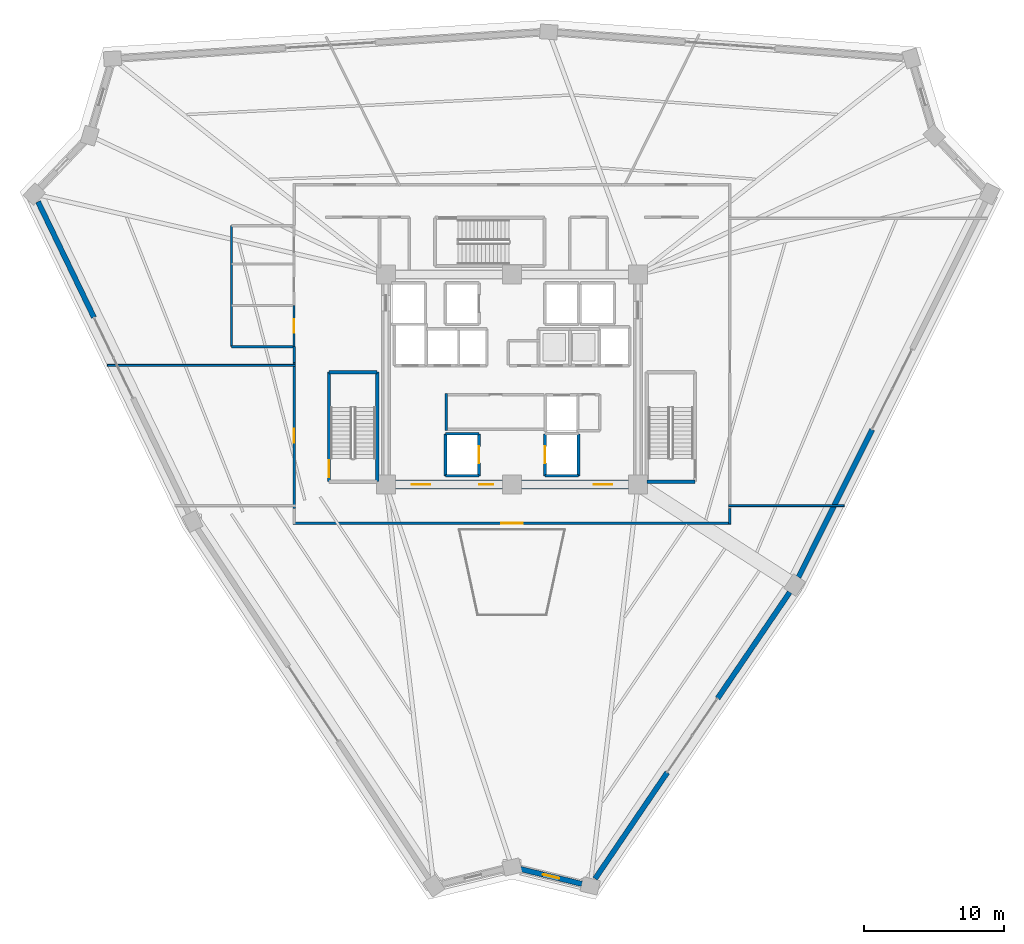
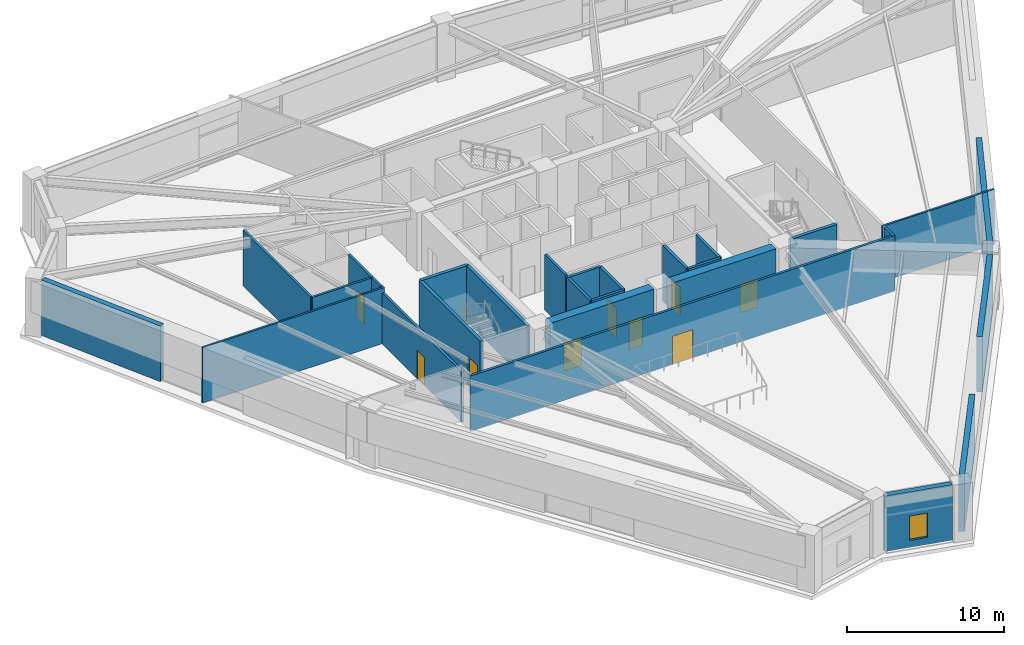
# One storey, part 32 of 39: 28 walls, 9 doors, 1 window, 10 openings.
"""IFC4 building model written with IfcOpenShell, lengths in metres."""

from ifc_helpers import new_model, si_unit, direction, frame, frame_2d, origin, place, context, subcontext, project, spatial, rectangle, extrude, source, transform, mapped, material, layer, layer_set, type_object, element, fill, save


model = new_model("IFC4")

# Units and contexts
model_context = context("Model", 3, precision=1e-05, world=origin(), true_north=direction((0.0, 1.0)))
body_context = subcontext(model_context, "Body", "Model", "MODEL_VIEW")
ifc_project = project(units=[si_unit("LENGTHUNIT", "METRE"), si_unit("AREAUNIT", "SQUARE_METRE"), si_unit("VOLUMEUNIT", "CUBIC_METRE"), si_unit("PLANEANGLEUNIT", "RADIAN"), si_unit("MASSUNIT", "GRAM", prefix="KILO")], contexts=[model_context])

# Site, building, storey
site_placement = place(None, origin())
site = spatial("IfcSite", under=ifc_project, at=site_placement, CompositionType="ELEMENT")
building_placement = place(site_placement, origin())
building = spatial("IfcBuilding", under=site, at=building_placement, Name="Liaohun Quay Tower", CompositionType="ELEMENT")
storey_placement = place(building_placement, frame((0.0, 0.0, 189.75)))
storey = spatial("IfcBuildingStorey", under=building, at=storey_placement, Name="L49", CompositionType="ELEMENT", Elevation=189.75)

# Wall, opening, door
ifc_material_1 = material(Name="Concrete C55", Category="concrete")
ifc_layer_1 = layer(ifc_material_1, 0.64990234375, Name="Concrete C55", Category="concrete")
ifc_layer_set_1 = layer_set([ifc_layer_1], Name="Concrete C55")
wall_type_1 = type_object("IfcWallType", Name="WAL-COR-Z3", PredefinedType="SHEAR", material=ifc_layer_set_1)
wall_1_placement = place(storey_placement, frame((68.324951171875, 46.5, 0.0), z_axis=(0.0, 0.0, 1.0), x_axis=(-1.0, 0.0, 0.0)))
wall_1 = element("IfcWall", 1, at=wall_1_placement, inside=storey, type_object=wall_type_1, Name="L49 Central Core Shear Wall S-E", PredefinedType="SHEAR", context=body_context, shape_type="SweptSolid", body=[
    extrude(rectangle(XDim=7.64990234375, YDim=0.64990234375, at=frame_2d((3.824951171875, 0.0))), origin(), (0.0, 0.0, 1.0), 4.320068359375),
])
shared_shape_1 = source(origin(), body_context, "Body", "SweptSolid", [
    extrude(rectangle(XDim=1.300048828125, YDim=2.199951171875, at=frame_2d((0.64990234375, 1.10009765625))), frame((0.0, 0.3349609375, 0.0), z_axis=(0.0, -1.0, 0.0), x_axis=(1.0, 0.0, 0.0)), (0.0, 0.0, 1.0), 0.669921875),
])
opening_1_placement = place(wall_1_placement, frame((1.175048828125, 0.0, 0.0)))
opening_1 = element("IfcOpeningElement", 2, at=opening_1_placement, cuts=wall_1, Name="Opening FD1", PredefinedType="OPENING", context=body_context, shape_type="MappedRepresentation", body=[
    mapped(shared_shape_1, transform((0.0, 0.0, 0.0), x_axis=(1.0, 0.0, 0.0), y_axis=(0.0, 1.0, 0.0), z_axis=(0.0, 0.0, 1.0), scale=1.0)),
])
ifc_material_2 = material(Name="Galvanised steel smokeproof fire door", Category="steel")
door_type_1 = type_object("IfcDoorType", Name="DOR-FFL-1300", OperationType="NOTDEFINED", PredefinedType="DOOR", material=ifc_material_2)
shared_shape_2 = source(origin(), body_context, "Body", "SweptSolid", [
    extrude(rectangle(XDim=1.300048828125, YDim=2.199951171875, at=frame_2d((0.64990234375, 1.10009765625))), frame((0.0, 0.02490234375, 0.0), z_axis=(0.0, -1.0, 0.0), x_axis=(1.0, 0.0, 0.0)), (0.0, 0.0, 1.0), 0.050048828125),
])
door_1_placement = place(opening_1_placement, origin())
door_1 = element("IfcDoor", 3, at=door_1_placement, inside=storey, type_object=door_type_1, Name="L49 East Core Lift Lobby Smokeproof Door", OperationType="SINGLE_SWING_LEFT", OverallHeight=2.199951171875, OverallWidth=1.300048828125, PredefinedType="DOOR", context=body_context, shape_type="MappedRepresentation", body=[
    mapped(shared_shape_2, transform((0.0, 0.0, 0.0), x_axis=(1.0, 0.0, 0.0), y_axis=(0.0, 1.0, 0.0), z_axis=(0.0, 0.0, 1.0), scale=1.0)),
])
fill(opening_1, door_1)

# Wall, openings, doors
wall_2_placement = place(storey_placement, frame((59.324951171875, 46.5, 0.0), z_axis=(0.0, 0.0, 1.0), x_axis=(-1.0, 0.0, 0.0)))
wall_2 = element("IfcWall", 4, at=wall_2_placement, inside=storey, type_object=wall_type_1, Name="L49 Central Core Shear Wall S-W", PredefinedType="SHEAR", context=body_context, shape_type="SweptSolid", body=[
    extrude(rectangle(XDim=7.64990234375, YDim=0.64990234375, at=frame_2d((3.824951171875, 0.0))), origin(), (0.0, 0.0, 1.0), 4.320068359375),
])
opening_2_placement = place(wall_2_placement, frame((5.175048828125, 0.0, 0.0)))
opening_2 = element("IfcOpeningElement", 5, at=opening_2_placement, cuts=wall_2, Name="Opening FD1", PredefinedType="OPENING", context=body_context, shape_type="MappedRepresentation", body=[
    mapped(shared_shape_1, transform((0.0, 0.0, 0.0), x_axis=(1.0, 0.0, 0.0), y_axis=(0.0, 1.0, 0.0), z_axis=(0.0, 0.0, 1.0), scale=1.0)),
])
shared_shape_3 = source(origin(), body_context, "Body", "SweptSolid", [
    extrude(rectangle(XDim=1.0, YDim=2.199951171875, at=frame_2d((0.5, 1.10009765625))), frame((0.0, 0.3349609375, 0.0), z_axis=(0.0, -1.0, 0.0), x_axis=(1.0, 0.0, 0.0)), (0.0, 0.0, 1.0), 0.669921875),
])
opening_3_placement = place(wall_2_placement, frame((0.675048828125, 0.0, 0.0)))
opening_3 = element("IfcOpeningElement", 6, at=opening_3_placement, cuts=wall_2, Name="Opening FD2", PredefinedType="OPENING", context=body_context, shape_type="MappedRepresentation", body=[
    mapped(shared_shape_3, transform((0.0, 0.0, 0.0), x_axis=(1.0, 0.0, 0.0), y_axis=(0.0, 1.0, 0.0), z_axis=(0.0, 0.0, 1.0), scale=1.0)),
])
door_2_placement = place(opening_2_placement, origin())
door_2 = element("IfcDoor", 7, at=door_2_placement, inside=storey, type_object=door_type_1, Name="L49 West Core Lift Lobby Smokeproof Door", OperationType="SINGLE_SWING_RIGHT", OverallHeight=2.199951171875, OverallWidth=1.300048828125, PredefinedType="DOOR", context=body_context, shape_type="MappedRepresentation", body=[
    mapped(shared_shape_2, transform((0.0, 0.0, 0.0), x_axis=(1.0, 0.0, 0.0), y_axis=(0.0, 1.0, 0.0), z_axis=(0.0, 0.0, 1.0), scale=1.0)),
])
fill(opening_2, door_2)
ifc_material_3 = material(Name="Galvanised steel smokeproof lobby fire door", Category="steel")
door_type_2 = type_object("IfcDoorType", Name="DOR-FFL-1000", OperationType="NOTDEFINED", PredefinedType="DOOR", material=ifc_material_3)
shared_shape_4 = source(origin(), body_context, "Body", "SweptSolid", [
    extrude(rectangle(XDim=1.0, YDim=2.199951171875, at=frame_2d((0.5, 1.10009765625))), frame((0.0, 0.02490234375, 0.0), z_axis=(0.0, -1.0, 0.0), x_axis=(1.0, 0.0, 0.0)), (0.0, 0.0, 1.0), 0.050048828125),
])
door_3_placement = place(opening_3_placement, origin())
door_3 = element("IfcDoor", 8, at=door_3_placement, inside=storey, type_object=door_type_2, Name="L49 South Firefighting Lobby Smokeproof Door", OperationType="SINGLE_SWING_LEFT", OverallHeight=2.199951171875, OverallWidth=1.0, PredefinedType="DOOR", context=body_context, shape_type="MappedRepresentation", body=[
    mapped(shared_shape_4, transform((0.0, 0.0, 0.0), x_axis=(1.0, 0.0, 0.0), y_axis=(0.0, 1.0, 0.0), z_axis=(0.0, 0.0, 1.0), scale=1.0)),
])
fill(opening_3, door_3)

# Wall, opening, window
ifc_material_4 = material(Name="Precast concrete C50 insulated sandwich", Category="concrete")
ifc_layer_2 = layer(ifc_material_4, 0.3798828125, Name="Precast concrete C50 insulated sandwich", Category="concrete")
ifc_layer_set_2 = layer_set([ifc_layer_2], Name="Precast concrete C50 insulated sandwich")
wall_type_2 = type_object("IfcWallType", Name="WAL-EXT-Z34", PredefinedType="SOLIDWALL", material=ifc_layer_set_2)
wall_3_placement = place(storey_placement, frame((60.597900390625, 19.050048828125, 0.0), z_axis=(0.0, 0.0, 1.0), x_axis=(0.972002207068, -0.234971720543, 0.0)))
wall_3 = element("IfcWall", 9, at=wall_3_placement, inside=storey, type_object=wall_type_2, Name="L49 Corner Notch Precast Pier Wall 01", PredefinedType="SOLIDWALL", context=body_context, shape_type="SweptSolid", body=[
    extrude(rectangle(XDim=4.515625, YDim=0.3798828125, at=frame_2d((2.2578125, 0.0))), origin(), (0.0, 0.0, 1.0), 4.320068359375),
])
shared_shape_5 = source(origin(), body_context, "Body", "SweptSolid", [
    extrude(rectangle(XDim=1.199951171875, YDim=1.89990234375, at=frame_2d((0.60009765625, 0.949951171875))), frame((0.0, 0.199951171875, 0.0), z_axis=(0.0, -1.0, 0.0), x_axis=(1.0, 0.0, 0.0)), (0.0, 0.0, 1.0), 0.39990234375),
])
opening_4_placement = place(wall_3_placement, frame((1.657958984375, 0.0, 0.550048828125)))
opening_4 = element("IfcOpeningElement", 10, at=opening_4_placement, cuts=wall_3, Name="Opening W05", PredefinedType="OPENING", context=body_context, shape_type="MappedRepresentation", body=[
    mapped(shared_shape_5, transform((0.0, 0.0, 0.0), x_axis=(1.0, 0.0, 0.0), y_axis=(0.0, 1.0, 0.0), z_axis=(0.0, 0.0, 1.0), scale=1.0)),
])
ifc_material_5 = material(Name="Triple Low-E corner notch glazing", Category="glass")
window_type = type_object("IfcWindowType", Name="WIN-NOTCH", PartitioningType="SINGLE_PANEL", PredefinedType="WINDOW", material=ifc_material_5)
shared_shape_6 = source(origin(), body_context, "Body", "SweptSolid", [
    extrude(rectangle(XDim=1.199951171875, YDim=1.89990234375, at=frame_2d((0.60009765625, 0.949951171875))), frame((0.0, 0.030029296875, 0.0), z_axis=(0.0, -1.0, 0.0), x_axis=(1.0, 0.0, 0.0)), (0.0, 0.0, 1.0), 0.06005859375),
])
window_placement = place(opening_4_placement, origin())
window = element("IfcWindow", 11, at=window_placement, inside=storey, type_object=window_type, Name="L49 Corner Notch Window W05-01", OverallHeight=1.89990234375, OverallWidth=1.199951171875, PartitioningType="SINGLE_PANEL", PredefinedType="WINDOW", context=body_context, shape_type="MappedRepresentation", body=[
    mapped(shared_shape_6, transform((0.0, 0.0, 0.0), x_axis=(1.0, 0.0, 0.0), y_axis=(0.0, 1.0, 0.0), z_axis=(0.0, 0.0, 1.0), scale=1.0)),
])
fill(opening_4, window)

# Walls
for number, where, z_axis, x_axis, name in (
    (12, (65.930908203125, 18.35400390625, 0.0), (0.0, 0.0, 1.0), (0.561936323386, 0.827180493278, 0.0), "L49 Belvedere Flank Pier Wall 02L"),
    (13, (74.679931640625, 31.23193359375, 0.0), (0.0, 0.0, 1.0), (0.561936323386, 0.827180493278, 0.0), "L49 Belvedere Flank Pier Wall 02R"),
):
    element("IfcWall", number, at=place(storey_placement, frame(where, z_axis=z_axis, x_axis=x_axis)), inside=storey, type_object=wall_type_2, Name=name, PredefinedType="SOLIDWALL", context=body_context, shape_type="SweptSolid", body=[
        extrude(rectangle(XDim=9.16845703125, YDim=0.3798828125, at=frame_2d((4.584228515625, 0.0))), origin(), (0.0, 0.0, 1.0), 4.320068359375),
    ])
wall_4_placement = place(storey_placement, frame((80.451904296875, 39.875, 0.0), z_axis=(0.0, 0.0, 1.0), x_axis=(0.446160912156, 0.894952758789, 0.0)))
element("IfcWall", 14, at=wall_4_placement, inside=storey, type_object=wall_type_2, Name="L49 Belvedere Flank Pier Wall 03L", PredefinedType="SOLIDWALL", context=body_context, shape_type="SweptSolid", body=[
    extrude(rectangle(XDim=11.78515625, YDim=0.3798828125, at=frame_2d((5.892578125, 0.0))), origin(), (0.0, 0.0, 1.0), 4.320068359375),
])
wall_5_placement = place(storey_placement, frame((26.1640625, 66.68701171875, 0.0), z_axis=(0.0, 0.0, 1.0), x_axis=(0.435394574193, -0.900239726275, 0.0)))
element("IfcWall", 15, at=wall_5_placement, inside=storey, type_object=wall_type_2, Name="L49 Belvedere Flank Pier Wall 10L", PredefinedType="SOLIDWALL", context=body_context, shape_type="SweptSolid", body=[
    extrude(rectangle(XDim=9.16845703125, YDim=0.3798828125, at=frame_2d((4.584228515625, 0.0))), origin(), (0.0, 0.0, 1.0), 4.320068359375),
])

# Wall, opening, door
ifc_material_6 = material(Name="Autoclaved aerated concrete blockwork", Category="masonry")
ifc_layer_3 = layer(ifc_material_6, 0.179931640625, Name="Autoclaved aerated concrete blockwork", Category="masonry")
ifc_layer_set_3 = layer_set([ifc_layer_3], Name="Autoclaved aerated concrete blockwork")
wall_type_3 = type_object("IfcWallType", Name="WAL-PRT-COR", PredefinedType="PARTITIONING", material=ifc_layer_set_3)
wall_6_placement = place(storey_placement, frame((44.43994140625, 44.784912109375, 0.0), z_axis=(0.0, 0.0, 1.0), x_axis=(0.0, 1.0, 0.0)))
wall_6 = element("IfcWall", 16, at=wall_6_placement, inside=storey, type_object=wall_type_3, Name="L49 Interior Partition Wall 015", PredefinedType="PARTITIONING", context=body_context, shape_type="SweptSolid", body=[
    extrude(rectangle(XDim=10.43017578125, YDim=0.179931640625, at=frame_2d((5.215087890625, 0.0))), origin(), (0.0, 0.0, 1.0), 3.955078125),
])
shared_shape_7 = source(origin(), body_context, "Body", "SweptSolid", [
    extrude(rectangle(XDim=1.0, YDim=2.199951171875, at=frame_2d((0.5, 1.10009765625))), frame((0.0, 0.099853515625, 0.0), z_axis=(0.0, -1.0, 0.0), x_axis=(1.0, 0.0, 0.0)), (0.0, 0.0, 1.0), 0.199951171875),
])
opening_5_placement = place(wall_6_placement, frame((4.715087890625, 0.0, 0.0)))
opening_5 = element("IfcOpeningElement", 17, at=opening_5_placement, cuts=wall_6, Name="Opening OD1", PredefinedType="OPENING", context=body_context, shape_type="MappedRepresentation", body=[
    mapped(shared_shape_7, transform((0.0, 0.0, 0.0), x_axis=(1.0, 0.0, 0.0), y_axis=(0.0, 1.0, 0.0), z_axis=(0.0, 0.0, 1.0), scale=1.0)),
])
ifc_material_7 = material(Name="Solid-core oak veneer timber leaf in steel frame", Category="steel")
door_type_3 = type_object("IfcDoorType", Name="DOR-OFF-1000", OperationType="NOTDEFINED", PredefinedType="DOOR", material=ifc_material_7)
door_4_placement = place(opening_5_placement, origin())
door_4 = element("IfcDoor", 18, at=door_4_placement, inside=storey, type_object=door_type_3, Name="L49 Executive Advisory Suite 05 Door", OperationType="SINGLE_SWING_LEFT", OverallHeight=2.199951171875, OverallWidth=1.0, PredefinedType="DOOR", context=body_context, shape_type="MappedRepresentation", body=[
    mapped(shared_shape_4, transform((0.0, 0.0, 0.0), x_axis=(1.0, 0.0, 0.0), y_axis=(0.0, 1.0, 0.0), z_axis=(0.0, 0.0, 1.0), scale=1.0)),
])
fill(opening_5, door_4)

wall_7_placement = place(storey_placement, frame((75.6298828125, 43.739990234375, 0.0), z_axis=(0.0, 0.0, 1.0), x_axis=(-1.0, 0.0, 0.0)))
wall_7 = element("IfcWall", 19, at=wall_7_placement, inside=storey, type_object=wall_type_3, Name="L49 Interior Partition Wall 016", PredefinedType="PARTITIONING", context=body_context, shape_type="SweptSolid", body=[
    extrude(rectangle(XDim=31.259765625, YDim=0.179931640625, at=frame_2d((15.6298828125, 0.0))), origin(), (0.0, 0.0, 1.0), 4.320068359375),
])
shared_shape_8 = source(origin(), body_context, "Body", "SweptSolid", [
    extrude(rectangle(XDim=1.5, YDim=2.199951171875, at=frame_2d((0.75, 1.10009765625))), frame((0.0, 0.099853515625, 0.0), z_axis=(0.0, -1.0, 0.0), x_axis=(1.0, 0.0, 0.0)), (0.0, 0.0, 1.0), 0.199951171875),
])
opening_6_placement = place(wall_7_placement, frame((14.8798828125, 0.0, 0.0)))
opening_6 = element("IfcOpeningElement", 20, at=opening_6_placement, cuts=wall_7, Name="Opening OD2", PredefinedType="OPENING", context=body_context, shape_type="MappedRepresentation", body=[
    mapped(shared_shape_8, transform((0.0, 0.0, 0.0), x_axis=(1.0, 0.0, 0.0), y_axis=(0.0, 1.0, 0.0), z_axis=(0.0, 0.0, 1.0), scale=1.0)),
])
ifc_material_8 = material(Name="Acoustic oak veneer double door")
door_type_4 = type_object("IfcDoorType", Name="DOR-OFF-1500", OperationType="DOUBLE_DOOR_SINGLE_SWING", PredefinedType="DOOR", material=ifc_material_8)
shared_shape_9 = source(origin(), body_context, "Body", "SweptSolid", [
    extrude(rectangle(XDim=1.5, YDim=2.199951171875, at=frame_2d((0.75, 1.10009765625))), frame((0.0, 0.02490234375, 0.0), z_axis=(0.0, -1.0, 0.0), x_axis=(1.0, 0.0, 0.0)), (0.0, 0.0, 1.0), 0.050048828125),
])
door_5_placement = place(opening_6_placement, origin())
door_5 = element("IfcDoor", 21, at=door_5_placement, inside=storey, type_object=door_type_4, Name="L49 Architectural Design Studio 06 Door", OperationType="DOUBLE_DOOR_SINGLE_SWING", OverallHeight=2.199951171875, OverallWidth=1.5, PredefinedType="DOOR", context=body_context, shape_type="MappedRepresentation", body=[
    mapped(shared_shape_9, transform((0.0, 0.0, 0.0), x_axis=(1.0, 0.0, 0.0), y_axis=(0.0, 1.0, 0.0), z_axis=(0.0, 0.0, 1.0), scale=1.0)),
])
fill(opening_6, door_5)

# Walls
wall_8_placement = place(storey_placement, frame((44.43994140625, 55.215087890625, 0.0), z_axis=(0.0, 0.0, 1.0), x_axis=(0.0, 1.0, 0.0)))
element("IfcWall", 22, at=wall_8_placement, inside=storey, type_object=wall_type_3, Name="L49 Interior Partition Wall 032", PredefinedType="PARTITIONING", context=body_context, shape_type="SweptSolid", body=[
    extrude(rectangle(XDim=1.125, YDim=0.179931640625, at=frame_2d((0.5625, 0.0))), origin(), (0.0, 0.0, 1.0), 4.320068359375),
])
wall_9_placement = place(storey_placement, frame((75.56005859375, 44.784912109375, 0.0), z_axis=(0.0, 0.0, 1.0), x_axis=(0.0, -1.0, 0.0)))
element("IfcWall", 23, at=wall_9_placement, inside=storey, type_object=wall_type_3, Name="L49 Interior Partition Wall 034", PredefinedType="PARTITIONING", context=body_context, shape_type="SweptSolid", body=[
    extrude(rectangle(XDim=1.114990234375, YDim=0.179931640625, at=frame_2d((0.5576171875, 0.0))), origin(), (0.0, 0.0, 1.0), 4.320068359375),
])
wall_10_placement = place(storey_placement, frame((55.300048828125, 50.360107421875, 0.0), z_axis=(0.0, 0.0, 1.0), x_axis=(0.0, 1.0, 0.0)))
element("IfcWall", 24, at=wall_10_placement, inside=storey, type_object=wall_type_3, Name="L49 Interior Partition Wall 041", PredefinedType="PARTITIONING", context=body_context, shape_type="SweptSolid", body=[
    extrude(rectangle(XDim=2.64990234375, YDim=0.179931640625, at=frame_2d((1.324951171875, 0.0))), origin(), (0.0, 0.0, 1.0), 4.320068359375),
])
ifc_material_9 = material(Name="Gypsum board on twin steel studs", Category="steel")
ifc_layer_4 = layer(ifc_material_9, 0.139892578125, Name="Gypsum board on twin steel studs", Category="steel")
ifc_layer_set_4 = layer_set([ifc_layer_4], Name="Gypsum board on twin steel studs")
wall_type_4 = type_object("IfcWallType", Name="WAL-PRT-OFF", PredefinedType="PARTITIONING", material=ifc_layer_set_4)
wall_11_placement = place(storey_placement, frame((44.5400390625, 55.0, 0.0), z_axis=(0.0, 0.0, 1.0), x_axis=(-1.0, 0.0, 0.0)))
element("IfcWall", 25, at=wall_11_placement, inside=storey, type_object=wall_type_4, Name="L49 Interior Partition Wall 036", PredefinedType="PARTITIONING", context=body_context, shape_type="SweptSolid", body=[
    extrude(rectangle(XDim=13.423095703125, YDim=0.139892578125, at=frame_2d((6.71142578125, 0.0))), origin(), (0.0, 0.0, 1.0), 4.320068359375),
])
wall_12_placement = place(storey_placement, frame((75.4599609375, 45.0, 0.0), z_axis=(0.0, 0.0, 1.0), x_axis=(1.0, 0.0, 0.0)))
element("IfcWall", 26, at=wall_12_placement, inside=storey, type_object=wall_type_4, Name="L49 Interior Partition Wall 037", PredefinedType="PARTITIONING", context=body_context, shape_type="SweptSolid", body=[
    extrude(rectangle(XDim=8.2509765625, YDim=0.139892578125, at=frame_2d((4.12548828125, 0.0))), origin(), (0.0, 0.0, 1.0), 4.320068359375),
])

# Wall, opening, door
ifc_material_10 = material(Name="Moisture-resistant masonry blockwork", Category="masonry")
ifc_layer_5 = layer(ifc_material_10, 0.159912109375, Name="Moisture-resistant masonry blockwork", Category="masonry")
ifc_layer_set_5 = layer_set([ifc_layer_5], Name="Moisture-resistant masonry blockwork")
wall_type_5 = type_object("IfcWallType", Name="WAL-PRT-WET", PredefinedType="PARTITIONING", material=ifc_layer_set_5)
wall_13_placement = place(storey_placement, frame((44.43994140625, 56.340087890625, 0.0), z_axis=(0.0, 0.0, 1.0), x_axis=(0.0, 1.0, 0.0)))
wall_13 = element("IfcWall", 27, at=wall_13_placement, inside=storey, type_object=wall_type_5, Name="L49 Interior Partition Wall 004", PredefinedType="PARTITIONING", context=body_context, shape_type="SweptSolid", body=[
    extrude(rectangle(XDim=2.93994140625, YDim=0.159912109375, at=frame_2d((1.469970703125, 0.0))), origin(), (0.0, 0.0, 1.0), 4.320068359375),
])
shared_shape_10 = source(origin(), body_context, "Body", "SweptSolid", [
    extrude(rectangle(XDim=0.949951171875, YDim=2.14990234375, at=frame_2d((0.47509765625, 1.074951171875))), frame((0.0, 0.08984375, 0.0), z_axis=(0.0, -1.0, 0.0), x_axis=(1.0, 0.0, 0.0)), (0.0, 0.0, 1.0), 0.179931640625),
])
opening_7_placement = place(wall_13_placement, frame((0.9951171875, 0.0, 0.0)))
opening_7 = element("IfcOpeningElement", 28, at=opening_7_placement, cuts=wall_13, Name="Opening WD1", PredefinedType="OPENING", context=body_context, shape_type="MappedRepresentation", body=[
    mapped(shared_shape_10, transform((0.0, 0.0, 0.0), x_axis=(1.0, 0.0, 0.0), y_axis=(0.0, 1.0, 0.0), z_axis=(0.0, 0.0, 1.0), scale=1.0)),
])
ifc_material_11 = material(Name="Moisture-resistant laminate timber leaf", Category="wood")
door_type_5 = type_object("IfcDoorType", Name="DOR-WC-950", OperationType="NOTDEFINED", PredefinedType="DOOR", material=ifc_material_11)
shared_shape_11 = source(origin(), body_context, "Body", "SweptSolid", [
    extrude(rectangle(XDim=0.949951171875, YDim=2.14990234375, at=frame_2d((0.47509765625, 1.074951171875))), frame((0.0, 0.02490234375, 0.0), z_axis=(0.0, -1.0, 0.0), x_axis=(1.0, 0.0, 0.0)), (0.0, 0.0, 1.0), 0.050048828125),
])
door_6_placement = place(opening_7_placement, origin())
door_6 = element("IfcDoor", 29, at=door_6_placement, inside=storey, type_object=door_type_5, Name="L49 Male Restroom WC Door", OperationType="SINGLE_SWING_RIGHT", OverallHeight=2.14990234375, OverallWidth=0.949951171875, PredefinedType="DOOR", context=body_context, shape_type="MappedRepresentation", body=[
    mapped(shared_shape_11, transform((0.0, 0.0, 0.0), x_axis=(1.0, 0.0, 0.0), y_axis=(0.0, 1.0, 0.0), z_axis=(0.0, 0.0, 1.0), scale=1.0)),
])
fill(opening_7, door_6)

# Walls
wall_14_placement = place(storey_placement, frame((39.97998046875, 56.340087890625, 0.0), z_axis=(0.0, 0.0, 1.0), x_axis=(0.0, 1.0, 0.0)))
element("IfcWall", 30, at=wall_14_placement, inside=storey, type_object=wall_type_5, Name="L49 Interior Partition Wall 021", PredefinedType="PARTITIONING", context=body_context, shape_type="SweptSolid", body=[
    extrude(rectangle(XDim=8.639892578125, YDim=0.159912109375, at=frame_2d((4.31982421875, 0.0))), origin(), (0.0, 0.0, 1.0), 4.320068359375),
])
wall_15_placement = place(storey_placement, frame((39.97998046875, 56.340087890625, 0.0), z_axis=(0.0, 0.0, 1.0), x_axis=(1.0, 0.0, 0.0)))
element("IfcWall", 31, at=wall_15_placement, inside=storey, type_object=wall_type_5, Name="L49 Interior Partition Wall 022", PredefinedType="PARTITIONING", context=body_context, shape_type="SweptSolid", body=[
    extrude(rectangle(XDim=4.4599609375, YDim=0.159912109375, at=frame_2d((2.22998046875, 0.0))), origin(), (0.0, 0.0, 1.0), 4.320068359375),
])
ifc_material_12 = material(Name="Concrete C50", Category="concrete")
ifc_layer_6 = layer(ifc_material_12, 0.239990234375, Name="Concrete C50", Category="concrete")
ifc_layer_set_6 = layer_set([ifc_layer_6], Name="Concrete C50")
wall_type_6 = type_object("IfcWallType", Name="WAL-SHF-200", PredefinedType="SOLIDWALL", material=ifc_layer_set_6)
wall_16_placement = place(storey_placement, frame((50.3798828125, 46.699951171875, 0.0), z_axis=(0.0, 0.0, 1.0), x_axis=(0.0, 1.0, 0.0)))
element("IfcWall", 32, at=wall_16_placement, inside=storey, type_object=wall_type_6, Name="L49 Stairwell ST-1 Structural Core Wall E", PredefinedType="SOLIDWALL", context=body_context, shape_type="SweptSolid", body=[
    extrude(rectangle(XDim=7.820068359375, YDim=0.239990234375, at=frame_2d((3.91015625, 0.0))), origin(), (0.0, 0.0, 1.0), 4.320068359375),
])
wall_17_placement = place(storey_placement, frame((50.3798828125, 54.52001953125, 0.0), z_axis=(0.0, 0.0, 1.0), x_axis=(-1.0, 0.0, 0.0)))
element("IfcWall", 33, at=wall_17_placement, inside=storey, type_object=wall_type_6, Name="L49 Stairwell ST-1 Structural Core Wall N", PredefinedType="SOLIDWALL", context=body_context, shape_type="SweptSolid", body=[
    extrude(rectangle(XDim=3.43994140625, YDim=0.239990234375, at=frame_2d((1.719970703125, 0.0))), origin(), (0.0, 0.0, 1.0), 4.320068359375),
])

# Wall, opening, door
wall_18_placement = place(storey_placement, frame((46.93994140625, 54.52001953125, 0.0), z_axis=(0.0, 0.0, 1.0), x_axis=(0.0, -1.0, 0.0)))
wall_18 = element("IfcWall", 34, at=wall_18_placement, inside=storey, type_object=wall_type_6, Name="L49 Stairwell ST-1 Structural Core Wall W", PredefinedType="SOLIDWALL", context=body_context, shape_type="SweptSolid", body=[
    extrude(rectangle(XDim=7.820068359375, YDim=0.239990234375, at=frame_2d((3.91015625, 0.0))), origin(), (0.0, 0.0, 1.0), 4.320068359375),
])
shared_shape_12 = source(origin(), body_context, "Body", "SweptSolid", [
    extrude(rectangle(XDim=1.199951171875, YDim=2.199951171875, at=frame_2d((0.60009765625, 1.10009765625))), frame((0.0, 0.1298828125, 0.0), z_axis=(0.0, -1.0, 0.0), x_axis=(1.0, 0.0, 0.0)), (0.0, 0.0, 1.0), 0.260009765625),
])
opening_8_placement = place(wall_18_placement, frame((6.300048828125, 0.0, 0.0)))
opening_8 = element("IfcOpeningElement", 35, at=opening_8_placement, cuts=wall_18, Name="Opening SD1", PredefinedType="OPENING", context=body_context, shape_type="MappedRepresentation", body=[
    mapped(shared_shape_12, transform((0.0, 0.0, 0.0), x_axis=(1.0, 0.0, 0.0), y_axis=(0.0, 1.0, 0.0), z_axis=(0.0, 0.0, 1.0), scale=1.0)),
])
ifc_material_13 = material(Name="Galvanised steel fire door", Category="steel")
door_type_6 = type_object("IfcDoorType", Name="DOR-STR-1200", OperationType="NOTDEFINED", PredefinedType="DOOR", material=ifc_material_13)
shared_shape_13 = source(origin(), body_context, "Body", "SweptSolid", [
    extrude(rectangle(XDim=1.199951171875, YDim=2.199951171875, at=frame_2d((0.60009765625, 1.10009765625))), frame((0.0, 0.02490234375, 0.0), z_axis=(0.0, -1.0, 0.0), x_axis=(1.0, 0.0, 0.0)), (0.0, 0.0, 1.0), 0.050048828125),
])
door_7_placement = place(opening_8_placement, origin())
door_7 = element("IfcDoor", 36, at=door_7_placement, inside=storey, type_object=door_type_6, Name="L49 Protected Stair ST-1 Fire Door", OperationType="SINGLE_SWING_LEFT", OverallHeight=2.199951171875, OverallWidth=1.199951171875, PredefinedType="DOOR", context=body_context, shape_type="MappedRepresentation", body=[
    mapped(shared_shape_13, transform((0.0, 0.0, 0.0), x_axis=(1.0, 0.0, 0.0), y_axis=(0.0, 1.0, 0.0), z_axis=(0.0, 0.0, 1.0), scale=1.0)),
])
fill(opening_8, door_7)

# Walls
wall_19_placement = place(storey_placement, frame((69.6201171875, 46.699951171875, 0.0), z_axis=(0.0, 0.0, 1.0), x_axis=(1.0, 0.0, 0.0)))
element("IfcWall", 37, at=wall_19_placement, inside=storey, type_object=wall_type_6, Name="L49 Stairwell ST-2 Structural Core Wall S", PredefinedType="SOLIDWALL", context=body_context, shape_type="SweptSolid", body=[
    extrude(rectangle(XDim=3.43994140625, YDim=0.239990234375, at=frame_2d((1.719970703125, 0.0))), origin(), (0.0, 0.0, 1.0), 4.320068359375),
])
wall_20_placement = place(storey_placement, frame((55.25, 47.1201171875, 0.0), z_axis=(0.0, 0.0, 1.0), x_axis=(1.0, 0.0, 0.0)))
element("IfcWall", 38, at=wall_20_placement, inside=storey, type_object=wall_type_6, Name="L49 Lift FF-01 Hoistway Wall S", PredefinedType="SOLIDWALL", context=body_context, shape_type="SweptSolid", body=[
    extrude(rectangle(XDim=2.39990234375, YDim=0.199951171875, at=frame_2d((1.199951171875, 0.0))), origin(), (0.0, 0.0, 1.0), 4.320068359375),
])

# Wall, opening, door
wall_21_placement = place(storey_placement, frame((57.64990234375, 47.1201171875, 0.0), z_axis=(0.0, 0.0, 1.0), x_axis=(0.0, 1.0, 0.0)))
wall_21 = element("IfcWall", 39, at=wall_21_placement, inside=storey, type_object=wall_type_6, Name="L49 Lift FF-01 Hoistway Wall E", PredefinedType="SOLIDWALL", context=body_context, shape_type="SweptSolid", body=[
    extrude(rectangle(XDim=3.0, YDim=0.199951171875, at=frame_2d((1.5, 0.0))), origin(), (0.0, 0.0, 1.0), 4.320068359375),
])
shared_shape_14 = source(origin(), body_context, "Body", "SweptSolid", [
    extrude(rectangle(XDim=1.199951171875, YDim=2.300048828125, at=frame_2d((0.60009765625, 1.14990234375))), frame((0.0, 0.10986328125, 0.0), z_axis=(0.0, -1.0, 0.0), x_axis=(1.0, 0.0, 0.0)), (0.0, 0.0, 1.0), 0.219970703125),
])
opening_9_placement = place(wall_21_placement, frame((0.89990234375, 0.0, 0.0)))
opening_9 = element("IfcOpeningElement", 40, at=opening_9_placement, cuts=wall_21, Name="Opening LD2", PredefinedType="OPENING", context=body_context, shape_type="MappedRepresentation", body=[
    mapped(shared_shape_14, transform((0.0, 0.0, 0.0), x_axis=(1.0, 0.0, 0.0), y_axis=(0.0, 1.0, 0.0), z_axis=(0.0, 0.0, 1.0), scale=1.0)),
])
ifc_material_14 = material(Name="Brushed stainless steel stretcher landing door", Category="steel")
door_type_7 = type_object("IfcDoorType", Name="DOR-LFT-1200", OperationType="SLIDING_TO_LEFT", PredefinedType="DOOR", material=ifc_material_14)
shared_shape_15 = source(origin(), body_context, "Body", "SweptSolid", [
    extrude(rectangle(XDim=1.199951171875, YDim=2.300048828125, at=frame_2d((0.60009765625, 1.14990234375))), frame((0.0, 0.02490234375, 0.0), z_axis=(0.0, -1.0, 0.0), x_axis=(1.0, 0.0, 0.0)), (0.0, 0.0, 1.0), 0.050048828125),
])
door_8_placement = place(opening_9_placement, origin())
door_8 = element("IfcDoor", 41, at=door_8_placement, inside=storey, type_object=door_type_7, Name="L49 Lift FF-01 Sliding Landing Door", OperationType="SLIDING_TO_LEFT", OverallHeight=2.300048828125, OverallWidth=1.199951171875, PredefinedType="DOOR", context=body_context, shape_type="MappedRepresentation", body=[
    mapped(shared_shape_15, transform((0.0, 0.0, 0.0), x_axis=(1.0, 0.0, 0.0), y_axis=(0.0, 1.0, 0.0), z_axis=(0.0, 0.0, 1.0), scale=1.0)),
])
fill(opening_9, door_8)

# Walls
wall_22_placement = place(storey_placement, frame((57.64990234375, 50.1201171875, 0.0), z_axis=(0.0, 0.0, 1.0), x_axis=(-1.0, 0.0, 0.0)))
element("IfcWall", 42, at=wall_22_placement, inside=storey, type_object=wall_type_6, Name="L49 Lift FF-01 Hoistway Wall N", PredefinedType="SOLIDWALL", context=body_context, shape_type="SweptSolid", body=[
    extrude(rectangle(XDim=2.39990234375, YDim=0.199951171875, at=frame_2d((1.199951171875, 0.0))), origin(), (0.0, 0.0, 1.0), 4.320068359375),
])
wall_23_placement = place(storey_placement, frame((55.25, 50.1201171875, 0.0), z_axis=(0.0, 0.0, 1.0), x_axis=(0.0, -1.0, 0.0)))
element("IfcWall", 43, at=wall_23_placement, inside=storey, type_object=wall_type_6, Name="L49 Lift FF-01 Hoistway Wall W", PredefinedType="SOLIDWALL", context=body_context, shape_type="SweptSolid", body=[
    extrude(rectangle(XDim=3.0, YDim=0.199951171875, at=frame_2d((1.5, 0.0))), origin(), (0.0, 0.0, 1.0), 4.320068359375),
])
wall_24_placement = place(storey_placement, frame((62.35009765625, 47.1201171875, 0.0), z_axis=(0.0, 0.0, 1.0), x_axis=(1.0, 0.0, 0.0)))
element("IfcWall", 44, at=wall_24_placement, inside=storey, type_object=wall_type_6, Name="L49 Lift FF-02 Hoistway Wall S", PredefinedType="SOLIDWALL", context=body_context, shape_type="SweptSolid", body=[
    extrude(rectangle(XDim=2.39990234375, YDim=0.199951171875, at=frame_2d((1.199951171875, 0.0))), origin(), (0.0, 0.0, 1.0), 4.320068359375),
])
wall_25_placement = place(storey_placement, frame((64.75, 47.1201171875, 0.0), z_axis=(0.0, 0.0, 1.0), x_axis=(0.0, 1.0, 0.0)))
element("IfcWall", 45, at=wall_25_placement, inside=storey, type_object=wall_type_6, Name="L49 Lift FF-02 Hoistway Wall E", PredefinedType="SOLIDWALL", context=body_context, shape_type="SweptSolid", body=[
    extrude(rectangle(XDim=3.0, YDim=0.199951171875, at=frame_2d((1.5, 0.0))), origin(), (0.0, 0.0, 1.0), 4.320068359375),
])

# Wall, opening, door
wall_26_placement = place(storey_placement, frame((62.35009765625, 50.1201171875, 0.0), z_axis=(0.0, 0.0, 1.0), x_axis=(0.0, -1.0, 0.0)))
wall_26 = element("IfcWall", 46, at=wall_26_placement, inside=storey, type_object=wall_type_6, Name="L49 Lift FF-02 Hoistway Wall W", PredefinedType="SOLIDWALL", context=body_context, shape_type="SweptSolid", body=[
    extrude(rectangle(XDim=3.0, YDim=0.199951171875, at=frame_2d((1.5, 0.0))), origin(), (0.0, 0.0, 1.0), 4.320068359375),
])
opening_10_placement = place(wall_26_placement, frame((0.89990234375, 0.0, 0.0)))
opening_10 = element("IfcOpeningElement", 47, at=opening_10_placement, cuts=wall_26, Name="Opening LD2", PredefinedType="OPENING", context=body_context, shape_type="MappedRepresentation", body=[
    mapped(shared_shape_14, transform((0.0, 0.0, 0.0), x_axis=(1.0, 0.0, 0.0), y_axis=(0.0, 1.0, 0.0), z_axis=(0.0, 0.0, 1.0), scale=1.0)),
])
door_9_placement = place(opening_10_placement, origin())
door_9 = element("IfcDoor", 48, at=door_9_placement, inside=storey, type_object=door_type_7, Name="L49 Lift FF-02 Sliding Landing Door", OperationType="SLIDING_TO_LEFT", OverallHeight=2.300048828125, OverallWidth=1.199951171875, PredefinedType="DOOR", context=body_context, shape_type="MappedRepresentation", body=[
    mapped(shared_shape_15, transform((0.0, 0.0, 0.0), x_axis=(1.0, 0.0, 0.0), y_axis=(0.0, 1.0, 0.0), z_axis=(0.0, 0.0, 1.0), scale=1.0)),
])
fill(opening_10, door_9)

save(model, "model.ifc")
